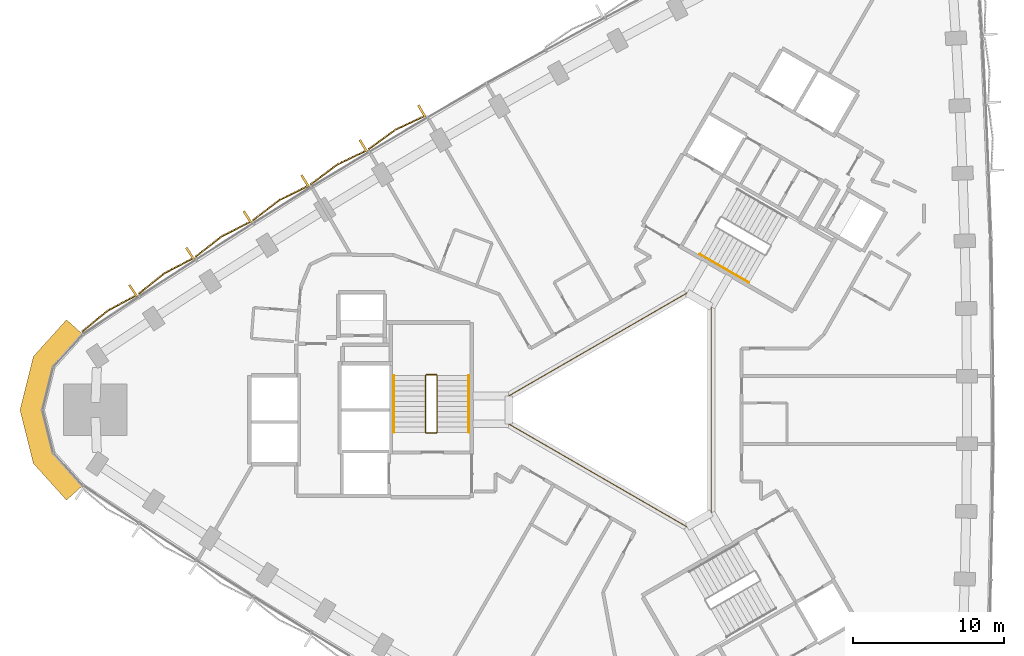
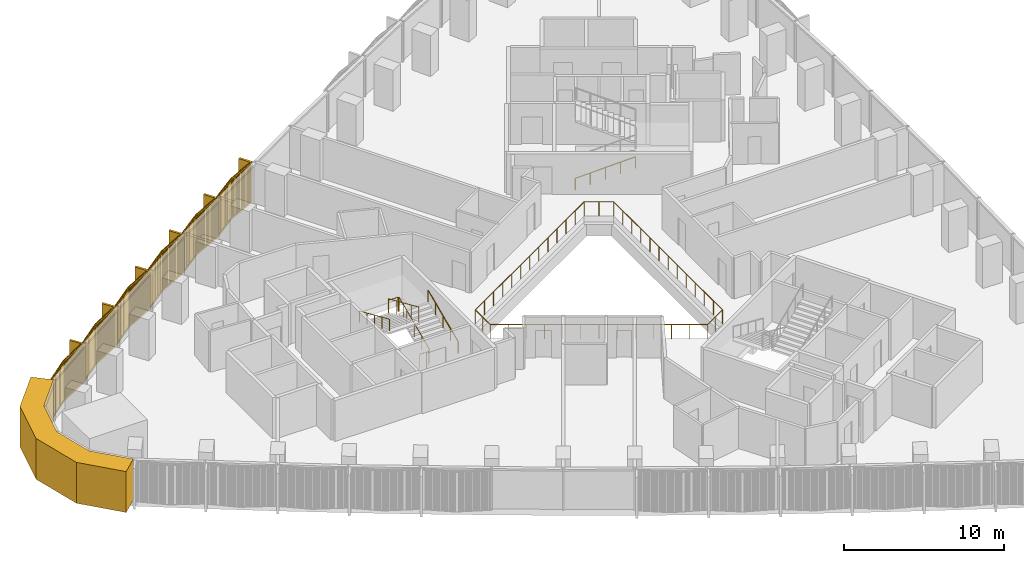
# One storey, part 14 of 15: 7 coverings, 5 railings.
"""IFC4 building model written with IfcOpenShell, lengths in metres."""

from ifc_helpers import new_model, si_unit, direction, frame, frame_2d, origin, origin_2d, place, context, subcontext, project, spatial, polyline, rectangle, circle, outline, extrude, source, transform, mapped, material, layer, layer_set, type_object, element, save


model = new_model("IFC4")

# Units and contexts
model_context = context("Model", 3, precision=1e-05, world=origin(), true_north=direction((0.0, 1.0)))
body_context = subcontext(model_context, "Body", "Model", "MODEL_VIEW")
ifc_project = project(units=[si_unit("LENGTHUNIT", "METRE"), si_unit("AREAUNIT", "SQUARE_METRE"), si_unit("VOLUMEUNIT", "CUBIC_METRE"), si_unit("PLANEANGLEUNIT", "RADIAN"), si_unit("MASSUNIT", "GRAM", prefix="KILO")], contexts=[model_context])

# Site, building, storey
site_placement = place(None, origin())
site = spatial("IfcSite", under=ifc_project, at=site_placement, CompositionType="ELEMENT")
building_placement = place(site_placement, origin())
building = spatial("IfcBuilding", under=site, at=building_placement, Name="Tamra Quay Hotel Tower", CompositionType="ELEMENT")
storey_placement = place(building_placement, frame((0.0, 0.0, 42.199951171875)))
storey = spatial("IfcBuildingStorey", under=building, at=storey_placement, Name="L08", CompositionType="ELEMENT", Elevation=42.199951171875)

# Covering
ifc_material_1 = material(Name="Precast concrete M60 terracotta-coloured", Category="masonry")
ifc_layer = layer(ifc_material_1, 1.449951171875)
ifc_layer_set = layer_set([ifc_layer], Name="CORNER PIER PANEL")
covering_type_1 = type_object("IfcCoveringType", Name="CORNER PIER PANEL", PredefinedType="CLADDING", material=ifc_layer_set)
covering_placement = place(storey_placement, origin())
element("IfcCovering", 1, at=covering_placement, inside=storey, type_object=covering_type_1, Name="Corner pier L08.north-west", PredefinedType="CLADDING", context=body_context, shape_type="SweptSolid", body=[
    extrude(outline(polyline([(-36.547607421875, 4.993896484375), (-37.625244140625, 5.964111328125), (-39.8173828125, 3.529541015625), (-40.697265625, 0.0), (-39.8173828125, -3.529541015625), (-37.625244140625, -5.964111328125), (-36.547607421875, -4.993896484375), (-38.497802734375, -2.827880859375), (-39.202880859375, 0.0), (-38.497802734375, 2.827880859375), (-36.547607421875, 4.993896484375)])), origin(), (0.0, 0.0, 1.0), 3.125),
])

# Railings
ifc_material_2 = material(Name="Guard atrium edge 1100")
railing_type_1 = type_object("IfcRailingType", Name="Guard atrium edge 1100", PredefinedType="GUARDRAIL", material=ifc_material_2)
railing_1_placement = place(storey_placement, frame((5.0, -6.81298828125, 0.0)))
element("IfcRailing", 2, at=railing_1_placement, inside=storey, type_object=railing_type_1, Name="G-A", PredefinedType="GUARDRAIL", context=body_context, shape_type="SweptSolid", body=[
    extrude(circle(Radius=0.02392578125, at=origin_2d()), frame((0.0, 0.0, 1.076171875), z_axis=(-0.866194386982, -0.499707198227, 0.0), x_axis=(0.499707198227, -0.866194386982, 0.0)), (0.0, 0.0, 1.0), 1.84716796875),
    extrude(circle(Radius=0.02392578125, at=origin_2d()), frame((-1.60009765625, -0.923095703125, 1.076171875), z_axis=(-0.866044747976, 0.49996649338, 0.0), x_axis=(-0.49996649338, -0.866044747976, 0.0)), (0.0, 0.0, 1.0), 13.625),
    extrude(circle(Radius=0.02392578125, at=origin_2d()), frame((-13.39990234375, 5.888916015625, 1.076171875), z_axis=(0.0, 1.0, 0.0), x_axis=(-1.0, 0.0, 0.0)), (0.0, 0.0, 1.0), 1.84814453125),
    extrude(circle(Radius=0.02392578125, at=origin_2d()), frame((-13.39990234375, 7.737060546875, 1.076171875), z_axis=(0.866044747976, 0.49996649338, 0.0), x_axis=(-0.49996649338, 0.866044747976, 0.0)), (0.0, 0.0, 1.0), 13.625),
    extrude(circle(Radius=0.02392578125, at=origin_2d()), frame((-1.60009765625, 14.549072265625, 1.076171875), z_axis=(0.866194386982, -0.499707198227, 0.0), x_axis=(0.499707198227, 0.866194386982, 0.0)), (0.0, 0.0, 1.0), 1.84716796875),
    extrude(circle(Radius=0.02392578125, at=origin_2d()), frame((0.0, 13.6259765625, 1.076171875), z_axis=(0.0, -1.0, 0.0), x_axis=(1.0, 0.0, 0.0)), (0.0, 0.0, 1.0), 13.6259765625),
    extrude(circle(Radius=0.02099609375, at=origin_2d()), origin(), (0.0, 0.0, 1.0), 1.052001953125),
    extrude(circle(Radius=0.02099609375, at=origin_2d()), frame((-0.800048828125, -0.46142578125, 0.0)), (0.0, 0.0, 1.0), 1.052001953125),
    extrude(circle(Radius=0.02099609375, at=origin_2d()), frame((-1.60009765625, -0.923095703125, 0.0)), (0.0, 0.0, 1.0), 1.052001953125),
    extrude(circle(Radius=0.02099609375, at=origin_2d()), frame((-2.58349609375, -0.35546875, 0.0)), (0.0, 0.0, 1.0), 1.052001953125),
    extrude(circle(Radius=0.02099609375, at=origin_2d()), frame((-3.566650390625, 0.212158203125, 0.0)), (0.0, 0.0, 1.0), 1.052001953125),
    extrude(circle(Radius=0.02099609375, at=origin_2d()), frame((-4.550048828125, 0.77978515625, 0.0)), (0.0, 0.0, 1.0), 1.052001953125),
    extrude(circle(Radius=0.02099609375, at=origin_2d()), frame((-5.533447265625, 1.34765625, 0.0)), (0.0, 0.0, 1.0), 1.052001953125),
    extrude(circle(Radius=0.02099609375, at=origin_2d()), frame((-6.5166015625, 1.915283203125, 0.0)), (0.0, 0.0, 1.0), 1.052001953125),
    extrude(circle(Radius=0.02099609375, at=origin_2d()), frame((-7.5, 2.48291015625, 0.0)), (0.0, 0.0, 1.0), 1.052001953125),
    extrude(circle(Radius=0.02099609375, at=origin_2d()), frame((-8.4833984375, 3.050537109375, 0.0)), (0.0, 0.0, 1.0), 1.052001953125),
    extrude(circle(Radius=0.02099609375, at=origin_2d()), frame((-9.466552734375, 3.6181640625, 0.0)), (0.0, 0.0, 1.0), 1.052001953125),
    extrude(circle(Radius=0.02099609375, at=origin_2d()), frame((-10.449951171875, 4.18603515625, 0.0)), (0.0, 0.0, 1.0), 1.052001953125),
    extrude(circle(Radius=0.02099609375, at=origin_2d()), frame((-11.433349609375, 4.753662109375, 0.0)), (0.0, 0.0, 1.0), 1.052001953125),
    extrude(circle(Radius=0.02099609375, at=origin_2d()), frame((-12.41650390625, 5.3212890625, 0.0)), (0.0, 0.0, 1.0), 1.052001953125),
    extrude(circle(Radius=0.02099609375, at=origin_2d()), frame((-13.39990234375, 5.888916015625, 0.0)), (0.0, 0.0, 1.0), 1.052001953125),
    extrude(circle(Radius=0.02099609375, at=origin_2d()), frame((-13.39990234375, 6.81298828125, 0.0)), (0.0, 0.0, 1.0), 1.052001953125),
    extrude(circle(Radius=0.02099609375, at=origin_2d()), frame((-13.39990234375, 7.737060546875, 0.0)), (0.0, 0.0, 1.0), 1.052001953125),
    extrude(circle(Radius=0.02099609375, at=origin_2d()), frame((-12.41650390625, 8.3046875, 0.0)), (0.0, 0.0, 1.0), 1.052001953125),
    extrude(circle(Radius=0.02099609375, at=origin_2d()), frame((-11.433349609375, 8.872314453125, 0.0)), (0.0, 0.0, 1.0), 1.052001953125),
    extrude(circle(Radius=0.02099609375, at=origin_2d()), frame((-10.449951171875, 9.43994140625, 0.0)), (0.0, 0.0, 1.0), 1.052001953125),
    extrude(circle(Radius=0.02099609375, at=origin_2d()), frame((-9.466552734375, 10.0078125, 0.0)), (0.0, 0.0, 1.0), 1.052001953125),
    extrude(circle(Radius=0.02099609375, at=origin_2d()), frame((-8.4833984375, 10.575439453125, 0.0)), (0.0, 0.0, 1.0), 1.052001953125),
    extrude(circle(Radius=0.02099609375, at=origin_2d()), frame((-7.5, 11.14306640625, 0.0)), (0.0, 0.0, 1.0), 1.052001953125),
    extrude(circle(Radius=0.02099609375, at=origin_2d()), frame((-6.5166015625, 11.710693359375, 0.0)), (0.0, 0.0, 1.0), 1.052001953125),
    extrude(circle(Radius=0.02099609375, at=origin_2d()), frame((-5.533447265625, 12.2783203125, 0.0)), (0.0, 0.0, 1.0), 1.052001953125),
    extrude(circle(Radius=0.02099609375, at=origin_2d()), frame((-4.550048828125, 12.84619140625, 0.0)), (0.0, 0.0, 1.0), 1.052001953125),
    extrude(circle(Radius=0.02099609375, at=origin_2d()), frame((-3.566650390625, 13.413818359375, 0.0)), (0.0, 0.0, 1.0), 1.052001953125),
    extrude(circle(Radius=0.02099609375, at=origin_2d()), frame((-2.58349609375, 13.9814453125, 0.0)), (0.0, 0.0, 1.0), 1.052001953125),
    extrude(circle(Radius=0.02099609375, at=origin_2d()), frame((-1.60009765625, 14.549072265625, 0.0)), (0.0, 0.0, 1.0), 1.052001953125),
    extrude(circle(Radius=0.02099609375, at=origin_2d()), frame((-0.800048828125, 14.08740234375, 0.0)), (0.0, 0.0, 1.0), 1.052001953125),
    extrude(circle(Radius=0.02099609375, at=origin_2d()), frame((0.0, 13.6259765625, 0.0)), (0.0, 0.0, 1.0), 1.052001953125),
    extrude(circle(Radius=0.02099609375, at=origin_2d()), frame((0.0, 12.490478515625, 0.0)), (0.0, 0.0, 1.0), 1.052001953125),
    extrude(circle(Radius=0.02099609375, at=origin_2d()), frame((0.0, 11.35498046875, 0.0)), (0.0, 0.0, 1.0), 1.052001953125),
    extrude(circle(Radius=0.02099609375, at=origin_2d()), frame((0.0, 10.219482421875, 0.0)), (0.0, 0.0, 1.0), 1.052001953125),
    extrude(circle(Radius=0.02099609375, at=origin_2d()), frame((0.0, 9.083984375, 0.0)), (0.0, 0.0, 1.0), 1.052001953125),
    extrude(circle(Radius=0.02099609375, at=origin_2d()), frame((0.0, 7.948486328125, 0.0)), (0.0, 0.0, 1.0), 1.052001953125),
    extrude(circle(Radius=0.02099609375, at=origin_2d()), frame((0.0, 6.81298828125, 0.0)), (0.0, 0.0, 1.0), 1.052001953125),
    extrude(circle(Radius=0.02099609375, at=origin_2d()), frame((0.0, 5.677490234375, 0.0)), (0.0, 0.0, 1.0), 1.052001953125),
    extrude(circle(Radius=0.02099609375, at=origin_2d()), frame((0.0, 4.5419921875, 0.0)), (0.0, 0.0, 1.0), 1.052001953125),
    extrude(circle(Radius=0.02099609375, at=origin_2d()), frame((0.0, 3.406494140625, 0.0)), (0.0, 0.0, 1.0), 1.052001953125),
    extrude(circle(Radius=0.02099609375, at=origin_2d()), frame((0.0, 2.27099609375, 0.0)), (0.0, 0.0, 1.0), 1.052001953125),
    extrude(circle(Radius=0.02099609375, at=origin_2d()), frame((0.0, 1.135498046875, 0.0)), (0.0, 0.0, 1.0), 1.052001953125),
])
ifc_material_3 = material(Name="Stair guard 1100")
railing_type_2 = type_object("IfcRailingType", Name="Stair guard 1100", PredefinedType="GUARDRAIL", material=ifc_material_3)
railing_2_placement = place(storey_placement, frame((-13.84130859375, -1.530029296875, 0.0)))
element("IfcRailing", 3, at=railing_2_placement, inside=storey, type_object=railing_type_2, Name="GR", PredefinedType="GUARDRAIL", context=body_context, shape_type="SweptSolid", body=[
    extrude(circle(Radius=0.02392578125, at=origin_2d()), frame((0.0, 0.0, 1.076171875), z_axis=(1.0, 0.0, 0.0), x_axis=(0.0, 1.0, 0.0)), (0.0, 0.0, 1.0), 0.658935546875),
    extrude(circle(Radius=0.02392578125, at=origin_2d()), frame((0.658935546875, 0.0, 1.076171875), z_axis=(0.301511344578, 0.301511344578, 0.904534033733), x_axis=(-0.707106781187, 0.707106781187, 0.0)), (0.0, 0.0, 1.0), 0.166015625),
    extrude(circle(Radius=0.02392578125, at=origin_2d()), frame((0.708984375, 0.050048828125, 1.22607421875), z_axis=(0.0, 0.915795495799, 0.401644880304), x_axis=(-1.0, 0.0, 0.0)), (0.0, 0.0, 1.0), 4.10791015625),
    extrude(circle(Radius=0.02392578125, at=origin_2d()), frame((0.708984375, 3.81201171875, 2.8759765625), z_axis=(-0.708833529934, 0.705375805398, 0.0), x_axis=(-0.705375805398, -0.708833529934, 0.0)), (0.0, 0.0, 1.0), 0.070556640625),
    extrude(circle(Radius=0.02392578125, at=origin_2d()), frame((0.658935546875, 3.86181640625, 2.8759765625), z_axis=(-1.0, 0.0, 0.0), x_axis=(0.0, -1.0, 0.0)), (0.0, 0.0, 1.0), 0.658935546875),
    extrude(circle(Radius=0.02392578125, at=origin_2d()), frame((0.0, 3.86181640625, 2.8759765625), z_axis=(-0.302046947789, -0.300573548044, 0.904667443621), x_axis=(0.705375805398, -0.708833529934, 0.0)), (0.0, 0.0, 1.0), 0.165771484375),
    extrude(circle(Radius=0.02392578125, at=origin_2d()), frame((-0.050048828125, 3.81201171875, 3.02587890625), z_axis=(0.0, -0.915773634228, 0.401694723457), x_axis=(1.0, 0.0, 0.0)), (0.0, 0.0, 1.0), 4.10791015625),
    extrude(circle(Radius=0.02099609375, at=origin_2d()), origin(), (0.0, 0.0, 1.0), 1.052001953125),
    extrude(circle(Radius=0.02099609375, at=origin_2d()), frame((0.658935546875, 0.0, 0.0)), (0.0, 0.0, 1.0), 1.052001953125),
    extrude(circle(Radius=0.02099609375, at=origin_2d()), frame((0.708984375, 0.050048828125, 0.150146484375)), (0.0, 0.0, 1.0), 1.052001953125),
    extrude(circle(Radius=0.02099609375, at=origin_2d()), frame((0.708984375, 0.990478515625, 0.5625)), (0.0, 0.0, 1.0), 1.052001953125),
    extrude(circle(Radius=0.02099609375, at=origin_2d()), frame((0.708984375, 1.93115234375, 0.97509765625)), (0.0, 0.0, 1.0), 1.052001953125),
    extrude(circle(Radius=0.02099609375, at=origin_2d()), frame((0.708984375, 2.87158203125, 1.3876953125)), (0.0, 0.0, 1.0), 1.052001953125),
    extrude(circle(Radius=0.02099609375, at=origin_2d()), frame((0.708984375, 3.81201171875, 1.800048828125)), (0.0, 0.0, 1.0), 1.052001953125),
    extrude(circle(Radius=0.02099609375, at=origin_2d()), frame((0.658935546875, 3.86181640625, 1.800048828125)), (0.0, 0.0, 1.0), 1.052001953125),
    extrude(circle(Radius=0.02099609375, at=origin_2d()), frame((0.0, 3.86181640625, 1.800048828125)), (0.0, 0.0, 1.0), 1.052001953125),
    extrude(circle(Radius=0.02099609375, at=origin_2d()), frame((-0.050048828125, 3.81201171875, 1.949951171875)), (0.0, 0.0, 1.0), 1.052001953125),
    extrude(circle(Radius=0.02099609375, at=origin_2d()), frame((-0.050048828125, 2.87158203125, 2.362548828125)), (0.0, 0.0, 1.0), 1.052001953125),
    extrude(circle(Radius=0.02099609375, at=origin_2d()), frame((-0.050048828125, 1.93115234375, 2.77490234375)), (0.0, 0.0, 1.0), 1.052001953125),
    extrude(circle(Radius=0.02099609375, at=origin_2d()), frame((-0.050048828125, 0.990478515625, 3.1875)), (0.0, 0.0, 1.0), 1.052001953125),
    extrude(circle(Radius=0.02099609375, at=origin_2d()), frame((-0.050048828125, 0.050048828125, 3.60009765625)), (0.0, 0.0, 1.0), 1.052001953125),
])
ifc_material_4 = material(Name="Stair handrail 900")
railing_type_3 = type_object("IfcRailingType", Name="Stair handrail 900", PredefinedType="HANDRAIL", material=ifc_material_4)
railing_3_placement = place(storey_placement, frame((-11.0322265625, -1.47998046875, 0.150146484375)))
element("IfcRailing", 4, at=railing_3_placement, inside=storey, type_object=railing_type_3, Name="HR", PredefinedType="HANDRAIL", context=body_context, shape_type="SweptSolid", body=[
    extrude(circle(Radius=0.02392578125, at=origin_2d()), frame((0.0, 0.0, 0.8759765625), z_axis=(0.0, 0.915795495799, 0.401644880304), x_axis=(-1.0, 0.0, 0.0)), (0.0, 0.0, 1.0), 4.10791015625),
    extrude(circle(Radius=0.02099609375, at=origin_2d()), origin(), (0.0, 0.0, 1.0), 0.851806640625),
    extrude(circle(Radius=0.02099609375, at=origin_2d()), frame((0.0, 0.9404296875, 0.41259765625)), (0.0, 0.0, 1.0), 0.851806640625),
    extrude(circle(Radius=0.02099609375, at=origin_2d()), frame((0.0, 1.880859375, 0.824951171875)), (0.0, 0.0, 1.0), 0.851806640625),
    extrude(circle(Radius=0.02099609375, at=origin_2d()), frame((0.0, 2.821533203125, 1.2373046875)), (0.0, 0.0, 1.0), 0.851806640625),
    extrude(circle(Radius=0.02099609375, at=origin_2d()), frame((0.0, 3.761962890625, 1.64990234375)), (0.0, 0.0, 1.0), 0.851806640625),
])
railing_4_placement = place(storey_placement, frame((-15.9912109375, 2.281982421875, 1.949951171875)))
element("IfcRailing", 5, at=railing_4_placement, inside=storey, type_object=railing_type_3, Name="HR", PredefinedType="HANDRAIL", context=body_context, shape_type="SweptSolid", body=[
    extrude(circle(Radius=0.02392578125, at=origin_2d()), frame((0.0, 0.0, 0.8759765625), z_axis=(0.0, -0.915773634228, 0.401694723457), x_axis=(1.0, 0.0, 0.0)), (0.0, 0.0, 1.0), 4.10791015625),
    extrude(circle(Radius=0.02099609375, at=origin_2d()), origin(), (0.0, 0.0, 1.0), 0.851806640625),
    extrude(circle(Radius=0.02099609375, at=origin_2d()), frame((0.0, -0.9404296875, 0.41259765625)), (0.0, 0.0, 1.0), 0.851806640625),
    extrude(circle(Radius=0.02099609375, at=origin_2d()), frame((0.0, -1.880859375, 0.8251953125)), (0.0, 0.0, 1.0), 0.851806640625),
    extrude(circle(Radius=0.02099609375, at=origin_2d()), frame((0.0, -2.821533203125, 1.237548828125)), (0.0, 0.0, 1.0), 0.851806640625),
    extrude(circle(Radius=0.02099609375, at=origin_2d()), frame((0.0, -3.761962890625, 1.650146484375)), (0.0, 0.0, 1.0), 0.851806640625),
])
railing_5_placement = place(storey_placement, frame((4.234375, 10.294189453125, 0.150146484375)))
element("IfcRailing", 6, at=railing_5_placement, inside=storey, type_object=railing_type_3, Name="HR", PredefinedType="HANDRAIL", context=body_context, shape_type="SweptSolid", body=[
    extrude(circle(Radius=0.02392578125, at=origin_2d()), frame((0.0, 0.0, 0.8759765625), z_axis=(0.793122095483, -0.45786531462, 0.401642496911), x_axis=(0.499964013922, 0.86604617936, 0.0)), (0.0, 0.0, 1.0), 4.10791015625),
    extrude(circle(Radius=0.02099609375, at=origin_2d()), origin(), (0.0, 0.0, 1.0), 0.851806640625),
    extrude(circle(Radius=0.02099609375, at=origin_2d()), frame((0.814453125, -0.47021484375, 0.41259765625)), (0.0, 0.0, 1.0), 0.851806640625),
    extrude(circle(Radius=0.02099609375, at=origin_2d()), frame((1.62890625, -0.9404296875, 0.824951171875)), (0.0, 0.0, 1.0), 0.851806640625),
    extrude(circle(Radius=0.02099609375, at=origin_2d()), frame((2.443603515625, -1.41064453125, 1.2373046875)), (0.0, 0.0, 1.0), 0.851806640625),
    extrude(circle(Radius=0.02099609375, at=origin_2d()), frame((3.258056640625, -1.880859375, 1.64990234375)), (0.0, 0.0, 1.0), 0.851806640625),
])

# Coverings
ifc_material_5 = material(Name="Terracotta baguette extruded", Category="masonry")
covering_type_2 = type_object("IfcCoveringType", Name="BAGUETTE SCREEN NW-V H3125", PredefinedType="USERDEFINED", material=ifc_material_5)
shared_shape = source(origin(), body_context, "Body", "SweptSolid", [
    extrude(rectangle(XDim=2.212646484375, YDim=0.06005859375, at=frame_2d((1.1064453125, 0.030029296875))), frame((-2.208251953125, -0.0576171875, -0.1201171875), z_axis=(0.0, 0.0, 1.0), x_axis=(0.995396198367, -0.09584575252, 0.0)), (0.0, 0.0, 1.0), 0.1201171875),
    extrude(rectangle(XDim=2.212646484375, YDim=0.06005859375, at=frame_2d((1.1064453125, 0.030029296875))), frame((-2.208251953125, -0.0576171875, -3.125), z_axis=(0.0, 0.0, 1.0), x_axis=(0.995396198367, -0.09584575252, 0.0)), (0.0, 0.0, 1.0), 0.1201171875),
    extrude(rectangle(XDim=0.070068359375, YDim=0.10009765625, at=frame_2d((0.03515625, 0.050048828125))), frame((-2.1875, -0.1328125, -3.06494140625)), (0.0, 0.0, 1.0), 3.0048828125),
    extrude(rectangle(XDim=0.070068359375, YDim=0.10009765625, at=frame_2d((0.03515625, 0.050048828125))), frame((-2.08740234375, -0.142578125, -3.06494140625)), (0.0, 0.0, 1.0), 3.0048828125),
    extrude(rectangle(XDim=0.070068359375, YDim=0.10009765625, at=frame_2d((0.03515625, 0.050048828125))), frame((-1.9873046875, -0.152099609375, -3.06494140625)), (0.0, 0.0, 1.0), 3.0048828125),
    extrude(rectangle(XDim=0.070068359375, YDim=0.10009765625, at=frame_2d((0.03515625, 0.050048828125))), frame((-1.88720703125, -0.16162109375, -3.06494140625)), (0.0, 0.0, 1.0), 3.0048828125),
    extrude(rectangle(XDim=0.070068359375, YDim=0.10009765625, at=frame_2d((0.03515625, 0.050048828125))), frame((-1.787109375, -0.17138671875, -3.06494140625)), (0.0, 0.0, 1.0), 3.0048828125),
    extrude(rectangle(XDim=0.070068359375, YDim=0.10009765625, at=frame_2d((0.03515625, 0.050048828125))), frame((-1.686767578125, -0.180908203125, -3.06494140625)), (0.0, 0.0, 1.0), 3.0048828125),
    extrude(rectangle(XDim=0.070068359375, YDim=0.10009765625, at=frame_2d((0.03515625, 0.050048828125))), frame((-1.586669921875, -0.190673828125, -3.06494140625)), (0.0, 0.0, 1.0), 3.0048828125),
    extrude(rectangle(XDim=0.070068359375, YDim=0.10009765625, at=frame_2d((0.03515625, 0.050048828125))), frame((-1.486572265625, -0.2001953125, -3.06494140625)), (0.0, 0.0, 1.0), 3.0048828125),
    extrude(rectangle(XDim=0.070068359375, YDim=0.10009765625, at=frame_2d((0.03515625, 0.050048828125))), frame((-1.386474609375, -0.2099609375, -3.06494140625)), (0.0, 0.0, 1.0), 3.0048828125),
    extrude(rectangle(XDim=0.070068359375, YDim=0.10009765625, at=frame_2d((0.03515625, 0.050048828125))), frame((-1.286376953125, -0.219482421875, -3.06494140625)), (0.0, 0.0, 1.0), 3.0048828125),
    extrude(rectangle(XDim=0.070068359375, YDim=0.10009765625, at=frame_2d((0.03515625, 0.050048828125))), frame((-1.186279296875, -0.229248046875, -3.06494140625)), (0.0, 0.0, 1.0), 3.0048828125),
    extrude(rectangle(XDim=0.070068359375, YDim=0.10009765625, at=frame_2d((0.03515625, 0.050048828125))), frame((-1.086181640625, -0.23876953125, -3.06494140625)), (0.0, 0.0, 1.0), 3.0048828125),
    extrude(rectangle(XDim=0.070068359375, YDim=0.10009765625, at=frame_2d((0.03515625, 0.050048828125))), frame((-0.986083984375, -0.24853515625, -3.06494140625)), (0.0, 0.0, 1.0), 3.0048828125),
    extrude(rectangle(XDim=0.070068359375, YDim=0.10009765625, at=frame_2d((0.03515625, 0.050048828125))), frame((-0.885986328125, -0.258056640625, -3.06494140625)), (0.0, 0.0, 1.0), 3.0048828125),
    extrude(rectangle(XDim=0.070068359375, YDim=0.10009765625, at=frame_2d((0.03515625, 0.050048828125))), frame((-0.785888671875, -0.267822265625, -3.06494140625)), (0.0, 0.0, 1.0), 3.0048828125),
    extrude(rectangle(XDim=0.070068359375, YDim=0.10009765625, at=frame_2d((0.03515625, 0.050048828125))), frame((-0.685791015625, -0.27734375, -3.06494140625)), (0.0, 0.0, 1.0), 3.0048828125),
    extrude(rectangle(XDim=0.070068359375, YDim=0.10009765625, at=frame_2d((0.03515625, 0.050048828125))), frame((-0.585693359375, -0.287109375, -3.06494140625)), (0.0, 0.0, 1.0), 3.0048828125),
    extrude(rectangle(XDim=0.070068359375, YDim=0.10009765625, at=frame_2d((0.03515625, 0.050048828125))), frame((-0.485595703125, -0.296630859375, -3.06494140625)), (0.0, 0.0, 1.0), 3.0048828125),
    extrude(rectangle(XDim=0.070068359375, YDim=0.10009765625, at=frame_2d((0.03515625, 0.050048828125))), frame((-0.385498046875, -0.306396484375, -3.06494140625)), (0.0, 0.0, 1.0), 3.0048828125),
    extrude(rectangle(XDim=0.070068359375, YDim=0.10009765625, at=frame_2d((0.03515625, 0.050048828125))), frame((-0.285400390625, -0.31591796875, -3.06494140625)), (0.0, 0.0, 1.0), 3.0048828125),
    extrude(rectangle(XDim=0.070068359375, YDim=0.10009765625, at=frame_2d((0.03515625, 0.050048828125))), frame((-0.18505859375, -0.32568359375, -3.06494140625)), (0.0, 0.0, 1.0), 3.0048828125),
    extrude(rectangle(XDim=0.070068359375, YDim=0.10009765625, at=frame_2d((0.03515625, 0.050048828125))), frame((-0.0849609375, -0.335205078125, -3.06494140625)), (0.0, 0.0, 1.0), 3.0048828125),
    extrude(rectangle(XDim=2.212646484375, YDim=0.06005859375, at=frame_2d((1.1064453125, 0.030029296875))), frame((0.005859375, -0.269775390625, -0.1201171875), z_axis=(0.0, 0.0, 1.0), x_axis=(0.995396198367, 0.09584575252, 0.0)), (0.0, 0.0, 1.0), 0.1201171875),
    extrude(rectangle(XDim=2.212646484375, YDim=0.06005859375, at=frame_2d((1.1064453125, 0.030029296875))), frame((0.005859375, -0.269775390625, -3.125), z_axis=(0.0, 0.0, 1.0), x_axis=(0.995396198367, 0.09584575252, 0.0)), (0.0, 0.0, 1.0), 0.1201171875),
    extrude(rectangle(XDim=0.070068359375, YDim=0.10009765625, at=frame_2d((0.03515625, 0.050048828125))), frame((0.01513671875, -0.335205078125, -3.06494140625)), (0.0, 0.0, 1.0), 3.0048828125),
    extrude(rectangle(XDim=0.070068359375, YDim=0.10009765625, at=frame_2d((0.03515625, 0.050048828125))), frame((0.115234375, -0.32568359375, -3.06494140625)), (0.0, 0.0, 1.0), 3.0048828125),
    extrude(rectangle(XDim=0.070068359375, YDim=0.10009765625, at=frame_2d((0.03515625, 0.050048828125))), frame((0.21533203125, -0.31591796875, -3.06494140625)), (0.0, 0.0, 1.0), 3.0048828125),
    extrude(rectangle(XDim=0.070068359375, YDim=0.10009765625, at=frame_2d((0.03515625, 0.050048828125))), frame((0.3154296875, -0.306396484375, -3.06494140625)), (0.0, 0.0, 1.0), 3.0048828125),
    extrude(rectangle(XDim=0.070068359375, YDim=0.10009765625, at=frame_2d((0.03515625, 0.050048828125))), frame((0.41552734375, -0.296630859375, -3.06494140625)), (0.0, 0.0, 1.0), 3.0048828125),
    extrude(rectangle(XDim=0.070068359375, YDim=0.10009765625, at=frame_2d((0.03515625, 0.050048828125))), frame((0.515625, -0.287109375, -3.06494140625)), (0.0, 0.0, 1.0), 3.0048828125),
    extrude(rectangle(XDim=0.070068359375, YDim=0.10009765625, at=frame_2d((0.03515625, 0.050048828125))), frame((0.61572265625, -0.27734375, -3.06494140625)), (0.0, 0.0, 1.0), 3.0048828125),
    extrude(rectangle(XDim=0.070068359375, YDim=0.10009765625, at=frame_2d((0.03515625, 0.050048828125))), frame((0.7158203125, -0.267822265625, -3.06494140625)), (0.0, 0.0, 1.0), 3.0048828125),
    extrude(rectangle(XDim=0.070068359375, YDim=0.10009765625, at=frame_2d((0.03515625, 0.050048828125))), frame((0.81591796875, -0.258056640625, -3.06494140625)), (0.0, 0.0, 1.0), 3.0048828125),
    extrude(rectangle(XDim=0.070068359375, YDim=0.10009765625, at=frame_2d((0.03515625, 0.050048828125))), frame((0.916015625, -0.24853515625, -3.06494140625)), (0.0, 0.0, 1.0), 3.0048828125),
    extrude(rectangle(XDim=0.070068359375, YDim=0.10009765625, at=frame_2d((0.03515625, 0.050048828125))), frame((1.01611328125, -0.23876953125, -3.06494140625)), (0.0, 0.0, 1.0), 3.0048828125),
    extrude(rectangle(XDim=0.070068359375, YDim=0.10009765625, at=frame_2d((0.03515625, 0.050048828125))), frame((1.1162109375, -0.229248046875, -3.06494140625)), (0.0, 0.0, 1.0), 3.0048828125),
    extrude(rectangle(XDim=0.070068359375, YDim=0.10009765625, at=frame_2d((0.03515625, 0.050048828125))), frame((1.21630859375, -0.219482421875, -3.06494140625)), (0.0, 0.0, 1.0), 3.0048828125),
    extrude(rectangle(XDim=0.070068359375, YDim=0.10009765625, at=frame_2d((0.03515625, 0.050048828125))), frame((1.316650390625, -0.2099609375, -3.06494140625)), (0.0, 0.0, 1.0), 3.0048828125),
    extrude(rectangle(XDim=0.070068359375, YDim=0.10009765625, at=frame_2d((0.03515625, 0.050048828125))), frame((1.416748046875, -0.2001953125, -3.06494140625)), (0.0, 0.0, 1.0), 3.0048828125),
    extrude(rectangle(XDim=0.070068359375, YDim=0.10009765625, at=frame_2d((0.03515625, 0.050048828125))), frame((1.516845703125, -0.190673828125, -3.06494140625)), (0.0, 0.0, 1.0), 3.0048828125),
    extrude(rectangle(XDim=0.070068359375, YDim=0.10009765625, at=frame_2d((0.03515625, 0.050048828125))), frame((1.616943359375, -0.180908203125, -3.06494140625)), (0.0, 0.0, 1.0), 3.0048828125),
    extrude(rectangle(XDim=0.070068359375, YDim=0.10009765625, at=frame_2d((0.03515625, 0.050048828125))), frame((1.717041015625, -0.17138671875, -3.06494140625)), (0.0, 0.0, 1.0), 3.0048828125),
    extrude(rectangle(XDim=0.070068359375, YDim=0.10009765625, at=frame_2d((0.03515625, 0.050048828125))), frame((1.817138671875, -0.16162109375, -3.06494140625)), (0.0, 0.0, 1.0), 3.0048828125),
    extrude(rectangle(XDim=0.070068359375, YDim=0.10009765625, at=frame_2d((0.03515625, 0.050048828125))), frame((1.917236328125, -0.152099609375, -3.06494140625)), (0.0, 0.0, 1.0), 3.0048828125),
    extrude(rectangle(XDim=0.070068359375, YDim=0.10009765625, at=frame_2d((0.03515625, 0.050048828125))), frame((2.017333984375, -0.142578125, -3.06494140625)), (0.0, 0.0, 1.0), 3.0048828125),
    extrude(rectangle(XDim=0.070068359375, YDim=0.10009765625, at=frame_2d((0.03515625, 0.050048828125))), frame((2.117431640625, -0.1328125, -3.06494140625)), (0.0, 0.0, 1.0), 3.0048828125),
    extrude(rectangle(XDim=0.14990234375, YDim=0.902099609375, at=frame_2d((0.074951171875, 0.451171875))), frame((-2.202392578125, -0.89990234375, -3.125)), (0.0, 0.0, 1.0), 3.125),
])
for number, where, z_axis, x_axis, name in (
    (7, (-15.744384765625, 18.290283203125, 3.125), (0.0, 0.0, 1.0), (-0.860556378011, -0.509355200489, 0.0), "Baguette screen L08.NW.f07"),
    (8, (-19.59619140625, 15.982177734375, 3.125), (0.0, 0.0, 1.0), (-0.854993446708, -0.518638801177, 0.0), "Baguette screen L08.NW.f08"),
    (9, (-23.4228515625, 13.632568359375, 3.125), (0.0, 0.0, 1.0), (-0.849331290722, -0.527860169552, 0.0), "Baguette screen L08.NW.f09"),
    (10, (-27.223388671875, 11.241943359375, 3.125), (0.0, 0.0, 1.0), (-0.843570774484, -0.537018015002, 0.0), "Baguette screen L08.NW.f10"),
    (11, (-30.998291015625, 8.81005859375, 3.125), (0.0, 0.0, 1.0), (-0.837727820256, -0.546087995811, 0.0), "Baguette screen L08.NW.f11"),
    (12, (-34.74658203125, 6.337890625, 3.125), (0.0, 0.0, 1.0), (-0.831797916254, -0.555078576884, 0.0), "Baguette screen L08.NW.f12"),
):
    element("IfcCovering", number, at=place(storey_placement, frame(where, z_axis=z_axis, x_axis=x_axis)), inside=storey, type_object=covering_type_2, Name=name, ObjectType="BAGUETTE SCREEN", PredefinedType="USERDEFINED", context=body_context, shape_type="MappedRepresentation", body=[
        mapped(shared_shape, transform((0.0, 0.0, 0.0), scale=1.0)),
    ])

save(model, "model.ifc")
